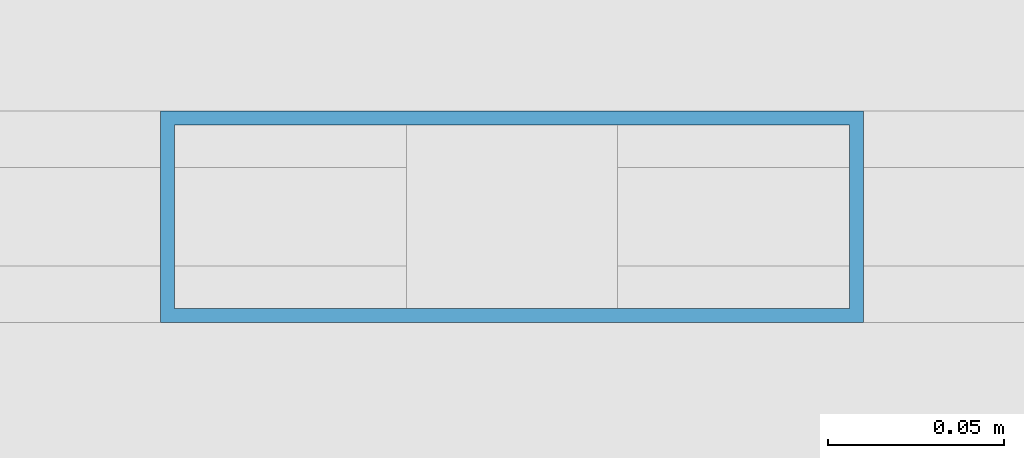
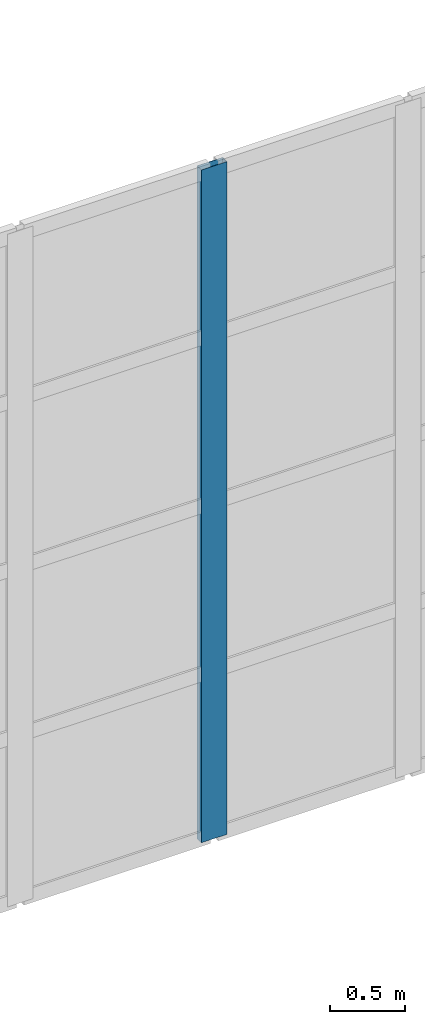
# One storey, part 182 of 437: 1 member, 1 element without a shape of its own.
"""IFC4 building model written with IfcOpenShell, lengths in metres."""

from ifc_helpers import new_model, si_unit, direction, frame, origin, origin_2d, place, context, subcontext, project, spatial, hollow_rectangle, extrude, material, layer, layer_set, material_profile, profile_set, type_object, element, aggregate, save


model = new_model("IFC4")

# Units and contexts
model_context = context("Model", 3, precision=1e-05, world=origin(), true_north=direction((0.0, 1.0)))
body_context = subcontext(model_context, "Body", "Model", "MODEL_VIEW")
ifc_project = project(units=[si_unit("LENGTHUNIT", "METRE"), si_unit("AREAUNIT", "SQUARE_METRE"), si_unit("VOLUMEUNIT", "CUBIC_METRE"), si_unit("PLANEANGLEUNIT", "RADIAN"), si_unit("MASSUNIT", "GRAM", prefix="KILO")], contexts=[model_context])

# Site, building, storey
site_placement = place(None, origin())
site = spatial("IfcSite", under=ifc_project, at=site_placement, CompositionType="ELEMENT")
building_placement = place(site_placement, origin())
building = spatial("IfcBuilding", under=site, at=building_placement, Name="Opaline Strait Convention Centre", CompositionType="ELEMENT")
storey_placement = place(building_placement, frame((0.0, 0.0, 11.5)))
storey = spatial("IfcBuildingStorey", under=building, at=storey_placement, Name="L02", CompositionType="ELEMENT", Elevation=11.5)

# Curtain wall, member
ifc_material_1 = material(Name="Aluminium framed glazing", Category="aluminium")
ifc_layer = layer(ifc_material_1, 0.199951171875)
ifc_layer_set = layer_set([ifc_layer], Name="Aluminium framed glazing")
curtain_wall_type = type_object("IfcCurtainWallType", Name="Entrance curtain wall 1500", PredefinedType="NOTDEFINED", material=ifc_layer_set)
curtain_wall_placement = place(storey_placement, origin())
curtain_wall = element("IfcCurtainWall", 1, at=curtain_wall_placement, inside=storey, type_object=curtain_wall_type, Name="Entrance curtain wall L02-R3", PredefinedType="NOTDEFINED")
ifc_material_2 = material(Name="Aluminium alloy 6063", Category="aluminium")
ifc_material_profile = material_profile(ifc_material_2, hollow_rectangle(XDim=0.06005859375, YDim=0.199951171875, WallThickness=0.00390625, at=origin_2d()), Name="MULLION 60x200x4")
ifc_profile_set = profile_set([ifc_material_profile], Name="Aluminium alloy 6063")
member_type = type_object("IfcMemberType", Name="Curtain wall mullion 60 x 200", PredefinedType="MULLION", material=ifc_profile_set)
member_placement = place(storey_placement, frame((193.5, 144.0, 0.0), z_axis=(0.0, 0.0, 1.0), x_axis=(0.0, 1.0, 0.0)))
member = element("IfcMember", 2, at=member_placement, type_object=member_type, Name="XCW mullion 4", PredefinedType="MULLION", context=body_context, shape_type="SweptSolid", body=[
    extrude(hollow_rectangle(XDim=0.06005859375, YDim=0.199951171875, WallThickness=0.00390625, at=origin_2d()), origin(), (0.0, 0.0, 1.0), 5.5),
])
aggregate(curtain_wall, [member])

save(model, "model.ifc")
